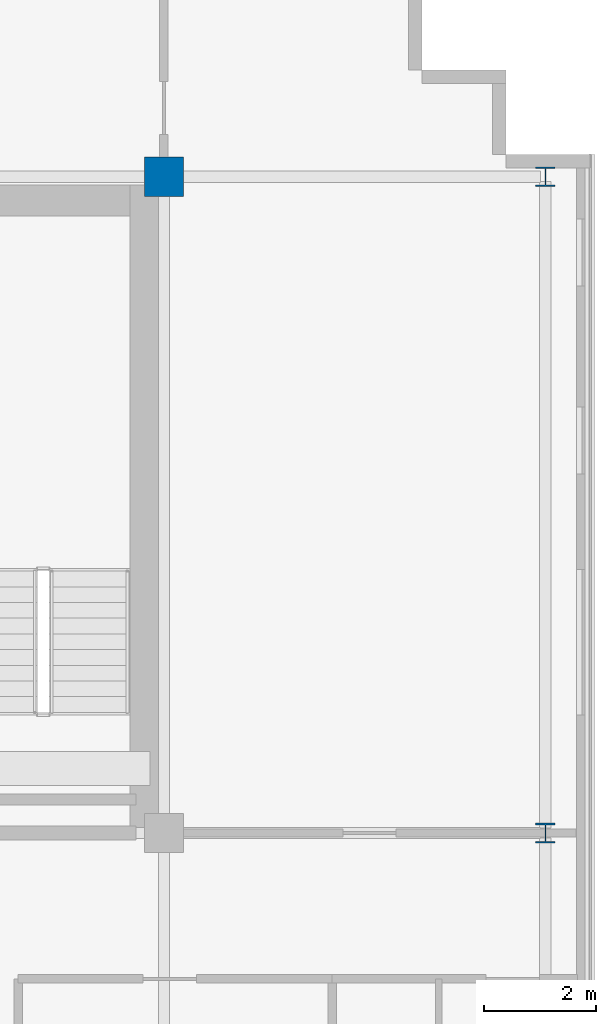
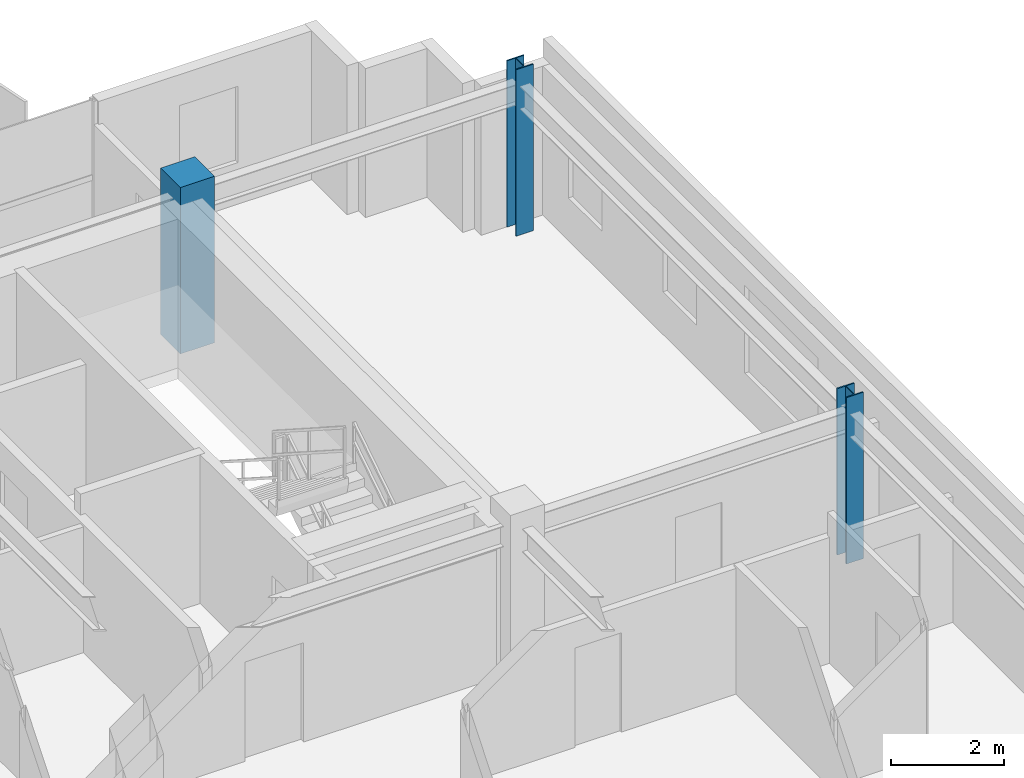
# One storey, part 4 of 37: 3 columns.
"""IFC4 building model written with IfcOpenShell, lengths in metres."""

from ifc_helpers import new_model, si_unit, direction, frame, origin, origin_2d, place, context, subcontext, project, spatial, rectangle, i_section, extrude, source, transform, mapped, material, material_profile, profile_set, type_object, element, save


model = new_model("IFC4")

# Units and contexts
model_context = context("Model", 3, precision=1e-05, world=origin(), true_north=direction((0.0, 1.0)))
body_context = subcontext(model_context, "Body", "Model", "MODEL_VIEW")
ifc_project = project(units=[si_unit("LENGTHUNIT", "METRE"), si_unit("AREAUNIT", "SQUARE_METRE"), si_unit("VOLUMEUNIT", "CUBIC_METRE"), si_unit("PLANEANGLEUNIT", "RADIAN"), si_unit("MASSUNIT", "GRAM", prefix="KILO")], contexts=[model_context])

# Site, building, storey
site_placement = place(None, origin())
site = spatial("IfcSite", under=ifc_project, at=site_placement, CompositionType="ELEMENT")
building_placement = place(site_placement, origin())
building = spatial("IfcBuilding", under=site, at=building_placement, Name="Trelvane Seafront Commons", CompositionType="ELEMENT")
storey_placement = place(building_placement, frame((0.0, 0.0, 201.300048828125)))
storey = spatial("IfcBuildingStorey", under=building, at=storey_placement, Name="L52", CompositionType="ELEMENT", Elevation=201.300048828125)

# Columns
ifc_material_1 = material(Name="Concrete C50/60", Category="concrete")
ifc_material_profile_1 = material_profile(ifc_material_1, rectangle(XDim=0.699951171875, YDim=0.699951171875, at=origin_2d()), Name="RC-700x700")
ifc_profile_set_1 = profile_set([ifc_material_profile_1], Name="Concrete C50/60")
column_type_1 = type_object("IfcColumnType", Name="STR-COL-RC700", PredefinedType="COLUMN", material=ifc_profile_set_1)
shared_shape_1 = source(origin(), body_context, "Body", "SweptSolid", [
    extrude(rectangle(XDim=0.699951171875, YDim=0.699951171875, at=origin_2d()), origin(), (0.0, 0.0, 1.0), 3.599853515625),
])
column_placement = place(storey_placement, frame((58.800048828125, 45.10009765625, 0.0), z_axis=(0.0, 0.0, 1.0), x_axis=(1.0, 0.0, 0.0)))
element("IfcColumn", 1, at=column_placement, inside=storey, type_object=column_type_1, Name="L52 Column TC-CN58.8", PredefinedType="COLUMN", context=body_context, shape_type="MappedRepresentation", body=[
    mapped(shared_shape_1, transform((0.0, 0.0, 0.0), x_axis=(1.0, 0.0, 0.0), y_axis=(0.0, 1.0, 0.0), z_axis=(0.0, 0.0, 1.0), scale=1.0)),
])
ifc_material_2 = material(Name="Steel SM355 (S355)", Category="steel")
ifc_material_profile_2 = material_profile(ifc_material_2, i_section(OverallWidth=0.35009765625, OverallDepth=0.35009765625, WebThickness=0.01806640625, FlangeThickness=0.028076171875, at=origin_2d()), Name="HD-350x350x18x28")
ifc_profile_set_2 = profile_set([ifc_material_profile_2], Name="Steel SM355 (S355)")
column_type_2 = type_object("IfcColumnType", Name="STR-COL-HD350", PredefinedType="COLUMN", material=ifc_profile_set_2)
shared_shape_2 = source(origin(), body_context, "Body", "SweptSolid", [
    extrude(i_section(OverallWidth=0.35009765625, OverallDepth=0.35009765625, WebThickness=0.01806640625, FlangeThickness=0.028076171875, at=origin_2d()), origin(), (0.0, 0.0, 1.0), 3.599853515625),
])
for number, where, z_axis, x_axis, name in (
    (2, (65.60009765625, 33.39990234375, 0.0), (0.0, 0.0, 1.0), (1.0, 0.0, 0.0), "L52 Column TC-CS65.6"),
    (3, (65.60009765625, 45.10009765625, 0.0), (0.0, 0.0, 1.0), (1.0, 0.0, 0.0), "L52 Column TC-CN65.6"),
):
    element("IfcColumn", number, at=place(storey_placement, frame(where, z_axis=z_axis, x_axis=x_axis)), inside=storey, type_object=column_type_2, Name=name, PredefinedType="COLUMN", context=body_context, shape_type="MappedRepresentation", body=[
        mapped(shared_shape_2, transform((0.0, 0.0, 0.0), x_axis=(1.0, 0.0, 0.0), y_axis=(0.0, 1.0, 0.0), z_axis=(0.0, 0.0, 1.0), scale=1.0)),
    ])

save(model, "model.ifc")
